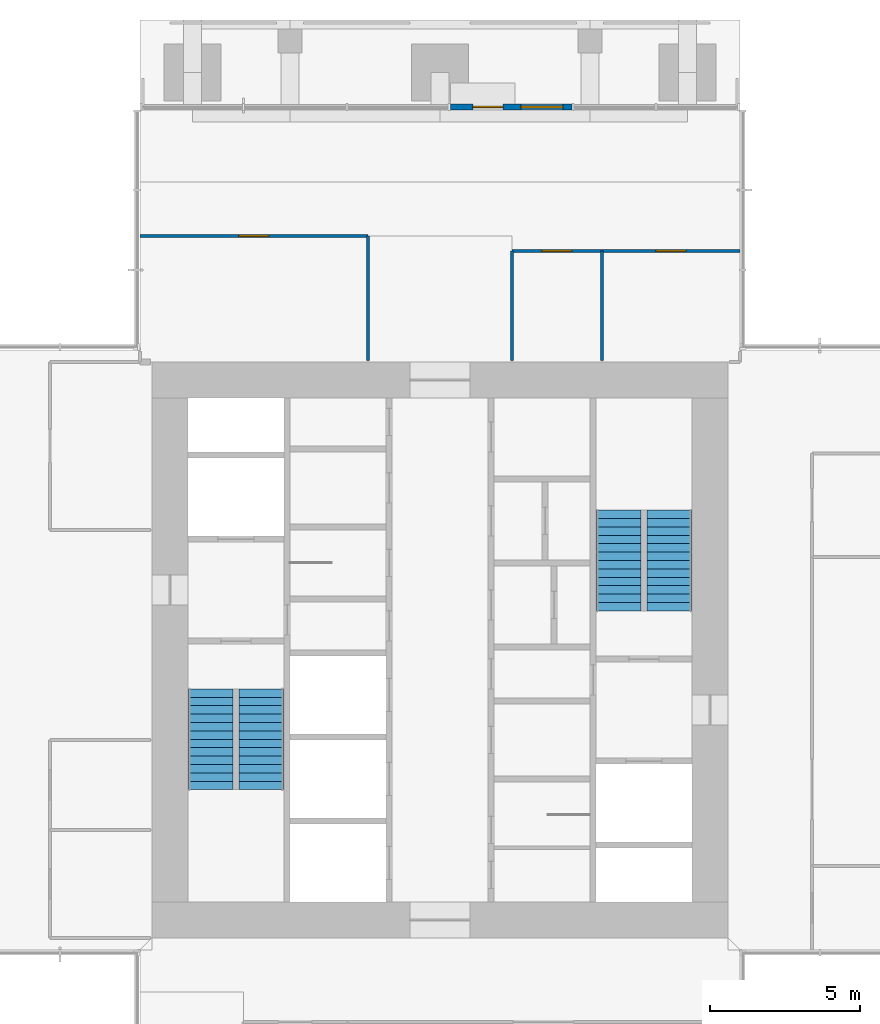
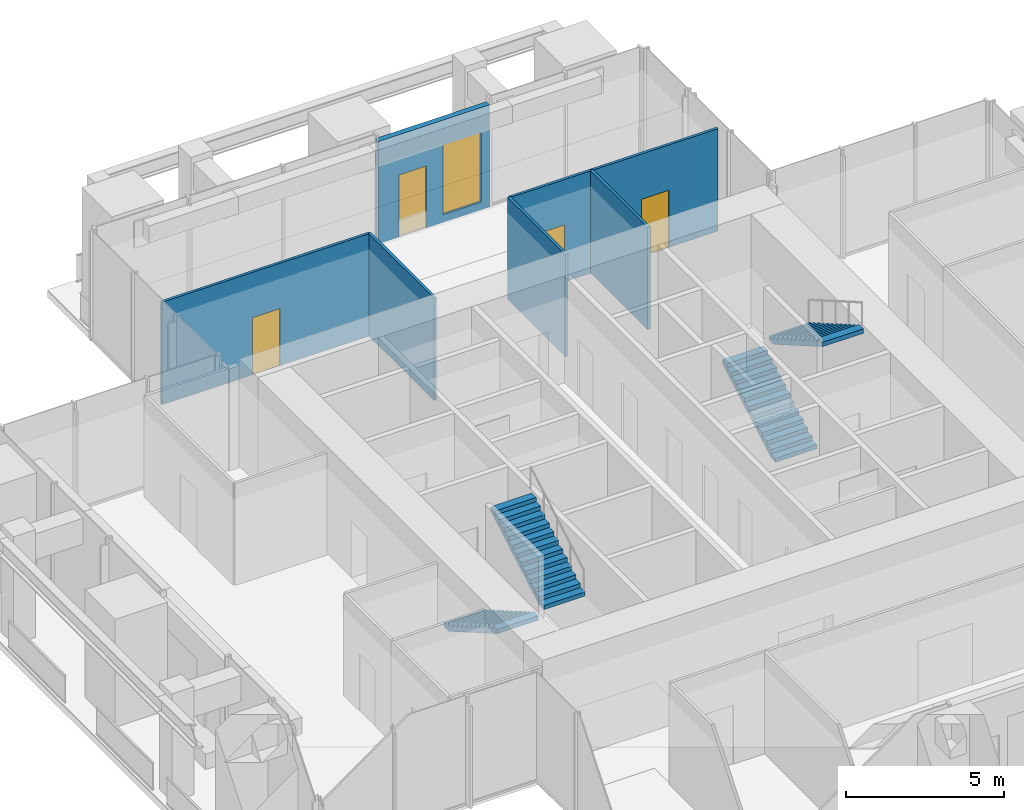
# One storey, part 9 of 12: 7 walls, 4 doors, 4 stair flights, 1 window, 5 openings, 2 elements without a shape of their own.
"""IFC4 building model written with IfcOpenShell, lengths in metres."""

from ifc_helpers import new_model, si_unit, direction, frame, frame_2d, origin, place, context, subcontext, project, spatial, polyline, rectangle, outline, extrude, material, layer, layer_set, type_object, element, fill, aggregate, save


model = new_model("IFC4")

# Units and contexts
model_context = context("Model", 3, precision=1e-05, world=origin(), true_north=direction((0.0, 1.0)))
body_context = subcontext(model_context, "Body", "Model", "MODEL_VIEW")
ifc_project = project(units=[si_unit("LENGTHUNIT", "METRE"), si_unit("AREAUNIT", "SQUARE_METRE"), si_unit("VOLUMEUNIT", "CUBIC_METRE"), si_unit("PLANEANGLEUNIT", "RADIAN"), si_unit("MASSUNIT", "GRAM", prefix="KILO")], contexts=[model_context])

# Site, building, storey
site_placement = place(None, origin())
site = spatial("IfcSite", under=ifc_project, at=site_placement, CompositionType="ELEMENT")
building_placement = place(site_placement, origin())
building = spatial("IfcBuilding", under=site, at=building_placement, Name="Svetlomir Tower", CompositionType="ELEMENT")
storey_placement = place(building_placement, frame((0.0, 0.0, 260.800048828125)))
storey = spatial("IfcBuildingStorey", under=building, at=storey_placement, Name="L62", CompositionType="ELEMENT", Elevation=260.800048828125)

# Wall, openings, door, window
ifc_material_1 = material(Name="Bronze anodised aluminium glazed screen", Category="aluminium")
ifc_layer_1 = layer(ifc_material_1, 0.199951171875)
ifc_layer_set_1 = layer_set([ifc_layer_1], Name="Bronze anodised aluminium glazed screen")
wall_type_1 = type_object("IfcWallType", Name="BALCONY SCREEN WALL 200", PredefinedType="USERDEFINED", material=ifc_layer_set_1)
wall_1_placement = place(storey_placement, frame((25.39990234375, 39.10009765625, 0.0), z_axis=(0.0, 0.0, 1.0), x_axis=(-1.0, 0.0, 0.0)))
wall_1 = element("IfcWall", 1, at=wall_1_placement, inside=storey, type_object=wall_type_1, Name="Balcony screen N", ObjectType="GLAZED SCREEN", PredefinedType="USERDEFINED", context=body_context, shape_type="SweptSolid", body=[
    extrude(rectangle(XDim=4.0498046875, YDim=0.199951171875, at=frame_2d((2.02490234375, 0.0))), origin(), (0.0, 0.0, 1.0), 3.949951171875),
])
opening_1_placement = place(wall_1_placement, frame((2.300048828125, 0.0, 0.0)))
opening_1 = element("IfcOpeningElement", 2, at=opening_1_placement, cuts=wall_1, Name="Opening BD", PredefinedType="OPENING", context=body_context, shape_type="SweptSolid", body=[
    extrude(rectangle(XDim=1.0, YDim=2.39990234375, at=frame_2d((0.5, 1.199951171875))), frame((0.0, 0.10986328125, 0.0), z_axis=(0.0, -1.0, 0.0), x_axis=(1.0, 0.0, 0.0)), (0.0, 0.0, 1.0), 0.219970703125),
])
opening_2_placement = place(wall_1_placement, frame((0.300048828125, 0.0, 0.300048828125)))
opening_2 = element("IfcOpeningElement", 3, at=opening_2_placement, cuts=wall_1, Name="Opening WS2", PredefinedType="OPENING", context=body_context, shape_type="SweptSolid", body=[
    extrude(rectangle(XDim=1.39990234375, YDim=2.699951171875, at=frame_2d((0.699951171875, 1.35009765625))), frame((0.0, 0.10986328125, 0.0), z_axis=(0.0, -1.0, 0.0), x_axis=(1.0, 0.0, 0.0)), (0.0, 0.0, 1.0), 0.219970703125),
])
ifc_material_2 = material(Name="Bronze anodised aluminium glazed door", Category="aluminium")
door_type_1 = type_object("IfcDoorType", Name="BALCONY DOOR BD 1000x2400", OperationType="SINGLE_SWING_LEFT", PredefinedType="DOOR", material=ifc_material_2)
door_1_placement = place(opening_1_placement, origin())
door_1 = element("IfcDoor", 4, at=door_1_placement, inside=storey, type_object=door_type_1, Name="Balcony screen N door", OperationType="SINGLE_SWING_LEFT", OverallHeight=2.39990234375, OverallWidth=1.0, PredefinedType="DOOR", context=body_context, shape_type="SweptSolid", body=[
    extrude(rectangle(XDim=1.0, YDim=2.39990234375, at=frame_2d((0.5, 1.199951171875))), frame((0.0, 0.02490234375, 0.0), z_axis=(0.0, -1.0, 0.0), x_axis=(1.0, 0.0, 0.0)), (0.0, 0.0, 1.0), 0.050048828125),
])
fill(opening_1, door_1)
ifc_material_3 = material(Name="Bronze anodised aluminium window", Category="aluminium")
window_type = type_object("IfcWindowType", Name="SCREEN WINDOW WS2 1400x2700", PartitioningType="SINGLE_PANEL", PredefinedType="WINDOW", material=ifc_material_3)
window_placement = place(opening_2_placement, origin())
window = element("IfcWindow", 5, at=window_placement, inside=storey, type_object=window_type, Name="Balcony screen N window 1", OverallHeight=2.699951171875, OverallWidth=1.39990234375, PartitioningType="SINGLE_PANEL", PredefinedType="WINDOW", context=body_context, shape_type="SweptSolid", body=[
    extrude(rectangle(XDim=1.39990234375, YDim=2.699951171875, at=frame_2d((0.699951171875, 1.35009765625))), frame((0.0, 0.030029296875, 0.0), z_axis=(0.0, -1.0, 0.0), x_axis=(1.0, 0.0, 0.0)), (0.0, 0.0, 1.0), 0.06005859375),
])
fill(opening_2, window)

# Wall, opening, door
ifc_material_4 = material(Name="Framed laminated glass partition", Category="glass")
ifc_layer_2 = layer(ifc_material_4, 0.10009765625)
ifc_layer_set_2 = layer_set([ifc_layer_2], Name="Framed laminated glass partition")
wall_type_2 = type_object("IfcWallType", Name="GLAZED PARTITION 100", PredefinedType="PARTITIONING", material=ifc_layer_set_2)
wall_2_placement = place(storey_placement, frame((11.0, 34.800048828125, 0.0), z_axis=(0.0, 0.0, 1.0), x_axis=(1.0, 0.0, 0.0)))
wall_2 = element("IfcWall", 6, at=wall_2_placement, inside=storey, type_object=wall_type_2, Name="Glazed partition L62", PredefinedType="PARTITIONING", context=body_context, shape_type="SweptSolid", body=[
    extrude(rectangle(XDim=7.60009765625, YDim=0.10009765625, at=frame_2d((3.800048828125, 0.0))), origin(), (0.0, 0.0, 1.0), 3.949951171875),
])
opening_3_placement = place(wall_2_placement, frame((3.300048828125, 0.0, 0.0)))
opening_3 = element("IfcOpeningElement", 7, at=opening_3_placement, cuts=wall_2, Name="Opening DR", PredefinedType="OPENING", context=body_context, shape_type="SweptSolid", body=[
    extrude(rectangle(XDim=1.0, YDim=2.199951171875, at=frame_2d((0.5, 1.10009765625))), frame((0.0, 0.06005859375, 0.0), z_axis=(0.0, -1.0, 0.0), x_axis=(1.0, 0.0, 0.0)), (0.0, 0.0, 1.0), 0.1201171875),
])
ifc_material_5 = material(Name="Timber door, glazed side light", Category="wood")
door_type_2 = type_object("IfcDoorType", Name="DOOR DR 1000x2200", OperationType="SINGLE_SWING_LEFT", PredefinedType="DOOR", material=ifc_material_5)
door_2_placement = place(opening_3_placement, origin())
door_2 = element("IfcDoor", 8, at=door_2_placement, inside=storey, type_object=door_type_2, Name="Team room, 10 seats door L62", OperationType="SINGLE_SWING_RIGHT", OverallHeight=2.199951171875, OverallWidth=1.0, PredefinedType="DOOR", context=body_context, shape_type="SweptSolid", body=[
    extrude(rectangle(XDim=1.0, YDim=2.199951171875, at=frame_2d((0.5, 1.10009765625))), frame((0.0, 0.02490234375, 0.0), z_axis=(0.0, -1.0, 0.0), x_axis=(1.0, 0.0, 0.0)), (0.0, 0.0, 1.0), 0.050048828125),
])
fill(opening_3, door_2)

# Walls
wall_3_placement = place(storey_placement, frame((18.60009765625, 30.64990234375, 0.0), z_axis=(0.0, 0.0, 1.0), x_axis=(0.0, 1.0, 0.0)))
element("IfcWall", 9, at=wall_3_placement, inside=storey, type_object=wall_type_2, Name="Glazed partition L62", PredefinedType="PARTITIONING", context=body_context, shape_type="SweptSolid", body=[
    extrude(rectangle(XDim=4.150146484375, YDim=0.10009765625, at=frame_2d((2.0751953125, 0.0))), origin(), (0.0, 0.0, 1.0), 3.949951171875),
])
wall_4_placement = place(storey_placement, frame((23.39990234375, 30.64990234375, 0.0), z_axis=(0.0, 0.0, 1.0), x_axis=(0.0, 1.0, 0.0)))
element("IfcWall", 10, at=wall_4_placement, inside=storey, type_object=wall_type_2, Name="Partition L62", PredefinedType="PARTITIONING", context=body_context, shape_type="SweptSolid", body=[
    extrude(rectangle(XDim=3.650146484375, YDim=0.10009765625, at=frame_2d((1.8251953125, 0.0))), origin(), (0.0, 0.0, 1.0), 3.949951171875),
])

# Wall, opening, door
wall_5_placement = place(storey_placement, frame((23.39990234375, 34.300048828125, 0.0), z_axis=(0.0, 0.0, 1.0), x_axis=(1.0, 0.0, 0.0)))
wall_5 = element("IfcWall", 11, at=wall_5_placement, inside=storey, type_object=wall_type_2, Name="Partition L62", PredefinedType="PARTITIONING", context=body_context, shape_type="SweptSolid", body=[
    extrude(rectangle(XDim=3.0, YDim=0.10009765625, at=frame_2d((1.5, 0.0))), origin(), (0.0, 0.0, 1.0), 3.949951171875),
])
opening_4_placement = place(wall_5_placement, frame((1.0, 0.0, 0.0)))
opening_4 = element("IfcOpeningElement", 12, at=opening_4_placement, cuts=wall_5, Name="Opening DR", PredefinedType="OPENING", context=body_context, shape_type="SweptSolid", body=[
    extrude(rectangle(XDim=1.0, YDim=2.199951171875, at=frame_2d((0.5, 1.10009765625))), frame((0.0, 0.06005859375, 0.0), z_axis=(0.0, -1.0, 0.0), x_axis=(1.0, 0.0, 0.0)), (0.0, 0.0, 1.0), 0.1201171875),
])
door_3_placement = place(opening_4_placement, origin())
door_3 = element("IfcDoor", 13, at=door_3_placement, inside=storey, type_object=door_type_2, Name="Board papers print room door L62", OperationType="SINGLE_SWING_RIGHT", OverallHeight=2.199951171875, OverallWidth=1.0, PredefinedType="DOOR", context=body_context, shape_type="SweptSolid", body=[
    extrude(rectangle(XDim=1.0, YDim=2.199951171875, at=frame_2d((0.5, 1.10009765625))), frame((0.0, 0.02490234375, 0.0), z_axis=(0.0, -1.0, 0.0), x_axis=(1.0, 0.0, 0.0)), (0.0, 0.0, 1.0), 0.050048828125),
])
fill(opening_4, door_3)

# Wall
wall_6_placement = place(storey_placement, frame((26.39990234375, 30.64990234375, 0.0), z_axis=(0.0, 0.0, 1.0), x_axis=(0.0, 1.0, 0.0)))
element("IfcWall", 14, at=wall_6_placement, inside=storey, type_object=wall_type_2, Name="Partition L62", PredefinedType="PARTITIONING", context=body_context, shape_type="SweptSolid", body=[
    extrude(rectangle(XDim=3.650146484375, YDim=0.10009765625, at=frame_2d((1.8251953125, 0.0))), origin(), (0.0, 0.0, 1.0), 3.949951171875),
])

# Wall, opening, door
wall_7_placement = place(storey_placement, frame((26.39990234375, 34.300048828125, 0.0), z_axis=(0.0, 0.0, 1.0), x_axis=(1.0, 0.0, 0.0)))
wall_7 = element("IfcWall", 15, at=wall_7_placement, inside=storey, type_object=wall_type_2, Name="Partition L62", PredefinedType="PARTITIONING", context=body_context, shape_type="SweptSolid", body=[
    extrude(rectangle(XDim=4.60009765625, YDim=0.10009765625, at=frame_2d((2.300048828125, 0.0))), origin(), (0.0, 0.0, 1.0), 3.949951171875),
])
opening_5_placement = place(wall_7_placement, frame((1.800048828125, 0.0, 0.0)))
opening_5 = element("IfcOpeningElement", 16, at=opening_5_placement, cuts=wall_7, Name="Opening DR", PredefinedType="OPENING", context=body_context, shape_type="SweptSolid", body=[
    extrude(rectangle(XDim=1.0, YDim=2.199951171875, at=frame_2d((0.5, 1.10009765625))), frame((0.0, 0.06005859375, 0.0), z_axis=(0.0, -1.0, 0.0), x_axis=(1.0, 0.0, 0.0)), (0.0, 0.0, 1.0), 0.1201171875),
])
door_4_placement = place(opening_5_placement, origin())
door_4 = element("IfcDoor", 17, at=door_4_placement, inside=storey, type_object=door_type_2, Name="Directors' store door L62", OperationType="SINGLE_SWING_LEFT", OverallHeight=2.199951171875, OverallWidth=1.0, PredefinedType="DOOR", context=body_context, shape_type="SweptSolid", body=[
    extrude(rectangle(XDim=1.0, YDim=2.199951171875, at=frame_2d((0.5, 1.10009765625))), frame((0.0, 0.02490234375, 0.0), z_axis=(0.0, -1.0, 0.0), x_axis=(1.0, 0.0, 0.0)), (0.0, 0.0, 1.0), 0.050048828125),
])
fill(opening_5, door_4)

# Stair, stair flights
ifc_material_6 = material(Name="Concrete C60/75", Category="concrete")
stair_type = type_object("IfcStairType", Name="EXIT STAIR 3200 RISE 4200", PredefinedType="HALF_TURN_STAIR", material=ifc_material_6)
stair_1_placement = place(storey_placement, origin())
stair_1 = element("IfcStair", 18, at=stair_1_placement, inside=storey, type_object=stair_type, Name="Stair S1 L62 to L63", PredefinedType="HALF_TURN_STAIR")
ifc_material_7 = material(Name="Concrete C60/75", Category="concrete")
stair_flight_type = type_object("IfcStairFlightType", Name="STAIR FLIGHT 1500 OF 13 RISERS", PredefinedType="STRAIGHT", material=ifc_material_7)
stair_flight_1_placement = place(storey_placement, frame((13.35009765625, 19.699951171875, 0.0), z_axis=(0.0, 0.0, 1.0), x_axis=(0.0, -1.0, 0.0)))
stair_flight_1 = element("IfcStairFlight", 19, at=stair_flight_1_placement, type_object=stair_flight_type, Name="S1 flight 1", NumberOfRisers=13, NumberOfTreads=12, PredefinedType="STRAIGHT", RiserHeight=0.161538462, TreadLength=0.28, context=body_context, shape_type="SweptSolid", body=[
    extrude(outline(polyline([(0.0, 0.0), (0.0, 0.16162109375), (0.280029296875, 0.16162109375), (0.280029296875, 0.322998046875), (0.56005859375, 0.322998046875), (0.56005859375, 0.484619140625), (0.840087890625, 0.484619140625), (0.840087890625, 0.646240234375), (1.1201171875, 0.646240234375), (1.1201171875, 0.8076171875), (1.39990234375, 0.8076171875), (1.39990234375, 0.96923828125), (1.679931640625, 0.96923828125), (1.679931640625, 1.130859375), (1.9599609375, 1.130859375), (1.9599609375, 1.292236328125), (2.239990234375, 1.292236328125), (2.239990234375, 1.453857421875), (2.52001953125, 1.453857421875), (2.52001953125, 1.615478515625), (2.800048828125, 1.615478515625), (2.800048828125, 1.77685546875), (3.080078125, 1.77685546875), (3.080078125, 1.9384765625), (3.360107421875, 1.9384765625), (3.360107421875, 2.10009765625), (3.360107421875, 1.765380859375), (0.300048828125, 0.0), (0.0, 0.0)])), frame((0.0, 0.75, 0.0), z_axis=(0.0, -1.0, 0.0), x_axis=(1.0, 0.0, 0.0)), (0.0, 0.0, 1.0), 1.5),
])
stair_flight_2_placement = place(storey_placement, frame((15.050048828125, 16.340087890625, 2.099853515625), z_axis=(0.0, 0.0, 1.0), x_axis=(0.0, 1.0, 0.0)))
stair_flight_2 = element("IfcStairFlight", 20, at=stair_flight_2_placement, type_object=stair_flight_type, Name="S1 flight 2", NumberOfRisers=13, NumberOfTreads=12, PredefinedType="STRAIGHT", RiserHeight=0.161538462, TreadLength=0.28, context=body_context, shape_type="SweptSolid", body=[
    extrude(outline(polyline([(0.0, 0.0), (0.0, 0.16162109375), (0.280029296875, 0.16162109375), (0.280029296875, 0.322998046875), (0.56005859375, 0.322998046875), (0.56005859375, 0.484619140625), (0.840087890625, 0.484619140625), (0.840087890625, 0.646240234375), (1.1201171875, 0.646240234375), (1.1201171875, 0.8076171875), (1.39990234375, 0.8076171875), (1.39990234375, 0.96923828125), (1.679931640625, 0.96923828125), (1.679931640625, 1.130859375), (1.9599609375, 1.130859375), (1.9599609375, 1.292236328125), (2.239990234375, 1.292236328125), (2.239990234375, 1.453857421875), (2.52001953125, 1.453857421875), (2.52001953125, 1.615478515625), (2.800048828125, 1.615478515625), (2.800048828125, 1.77685546875), (3.080078125, 1.77685546875), (3.080078125, 1.9384765625), (3.360107421875, 1.9384765625), (3.360107421875, 2.10009765625), (3.360107421875, 1.765380859375), (0.300048828125, 0.0), (0.0, 0.0)])), frame((0.0, 0.75, 0.0), z_axis=(0.0, -1.0, 0.0), x_axis=(1.0, 0.0, 0.0)), (0.0, 0.0, 1.0), 1.5),
])
aggregate(stair_1, [stair_flight_1, stair_flight_2])

stair_2_placement = place(storey_placement, origin())
stair_2 = element("IfcStair", 21, at=stair_2_placement, inside=storey, type_object=stair_type, Name="Stair S2 L62 to L63", PredefinedType="HALF_TURN_STAIR")
stair_flight_3_placement = place(storey_placement, frame((26.949951171875, 22.300048828125, 0.0), z_axis=(0.0, 0.0, 1.0), x_axis=(0.0, 1.0, 0.0)))
stair_flight_3 = element("IfcStairFlight", 22, at=stair_flight_3_placement, type_object=stair_flight_type, Name="S2 flight 1", NumberOfRisers=13, NumberOfTreads=12, PredefinedType="STRAIGHT", RiserHeight=0.161538462, TreadLength=0.28, context=body_context, shape_type="SweptSolid", body=[
    extrude(outline(polyline([(0.0, 0.0), (0.0, 0.16162109375), (0.280029296875, 0.16162109375), (0.280029296875, 0.322998046875), (0.56005859375, 0.322998046875), (0.56005859375, 0.484619140625), (0.840087890625, 0.484619140625), (0.840087890625, 0.646240234375), (1.1201171875, 0.646240234375), (1.1201171875, 0.8076171875), (1.39990234375, 0.8076171875), (1.39990234375, 0.96923828125), (1.679931640625, 0.96923828125), (1.679931640625, 1.130859375), (1.9599609375, 1.130859375), (1.9599609375, 1.292236328125), (2.239990234375, 1.292236328125), (2.239990234375, 1.453857421875), (2.52001953125, 1.453857421875), (2.52001953125, 1.615478515625), (2.800048828125, 1.615478515625), (2.800048828125, 1.77685546875), (3.080078125, 1.77685546875), (3.080078125, 1.9384765625), (3.360107421875, 1.9384765625), (3.360107421875, 2.10009765625), (3.360107421875, 1.765380859375), (0.300048828125, 0.0), (0.0, 0.0)])), frame((0.0, 0.75, 0.0), z_axis=(0.0, -1.0, 0.0), x_axis=(1.0, 0.0, 0.0)), (0.0, 0.0, 1.0), 1.5),
])
stair_flight_4_placement = place(storey_placement, frame((28.64990234375, 25.659912109375, 2.099853515625), z_axis=(0.0, 0.0, 1.0), x_axis=(0.0, -1.0, 0.0)))
stair_flight_4 = element("IfcStairFlight", 23, at=stair_flight_4_placement, type_object=stair_flight_type, Name="S2 flight 2", NumberOfRisers=13, NumberOfTreads=12, PredefinedType="STRAIGHT", RiserHeight=0.161538462, TreadLength=0.28, context=body_context, shape_type="SweptSolid", body=[
    extrude(outline(polyline([(0.0, 0.0), (0.0, 0.16162109375), (0.280029296875, 0.16162109375), (0.280029296875, 0.322998046875), (0.56005859375, 0.322998046875), (0.56005859375, 0.484619140625), (0.840087890625, 0.484619140625), (0.840087890625, 0.646240234375), (1.1201171875, 0.646240234375), (1.1201171875, 0.8076171875), (1.39990234375, 0.8076171875), (1.39990234375, 0.96923828125), (1.679931640625, 0.96923828125), (1.679931640625, 1.130859375), (1.9599609375, 1.130859375), (1.9599609375, 1.292236328125), (2.239990234375, 1.292236328125), (2.239990234375, 1.453857421875), (2.52001953125, 1.453857421875), (2.52001953125, 1.615478515625), (2.800048828125, 1.615478515625), (2.800048828125, 1.77685546875), (3.080078125, 1.77685546875), (3.080078125, 1.9384765625), (3.360107421875, 1.9384765625), (3.360107421875, 2.10009765625), (3.360107421875, 1.765380859375), (0.300048828125, 0.0), (0.0, 0.0)])), frame((0.0, 0.75, 0.0), z_axis=(0.0, -1.0, 0.0), x_axis=(1.0, 0.0, 0.0)), (0.0, 0.0, 1.0), 1.5),
])
aggregate(stair_2, [stair_flight_3, stair_flight_4])

save(model, "model.ifc")
